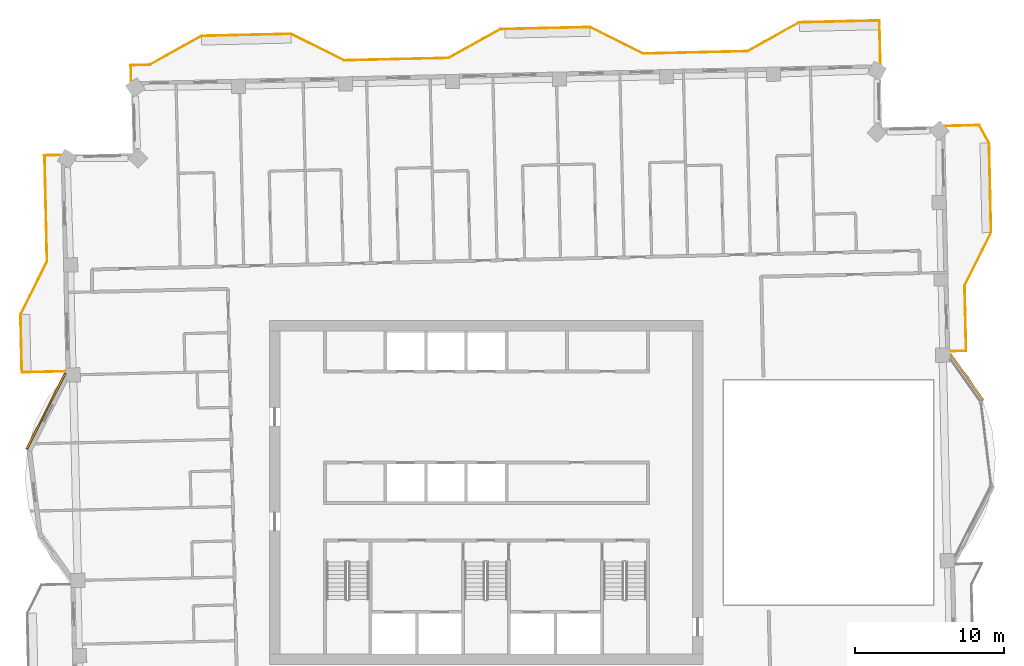
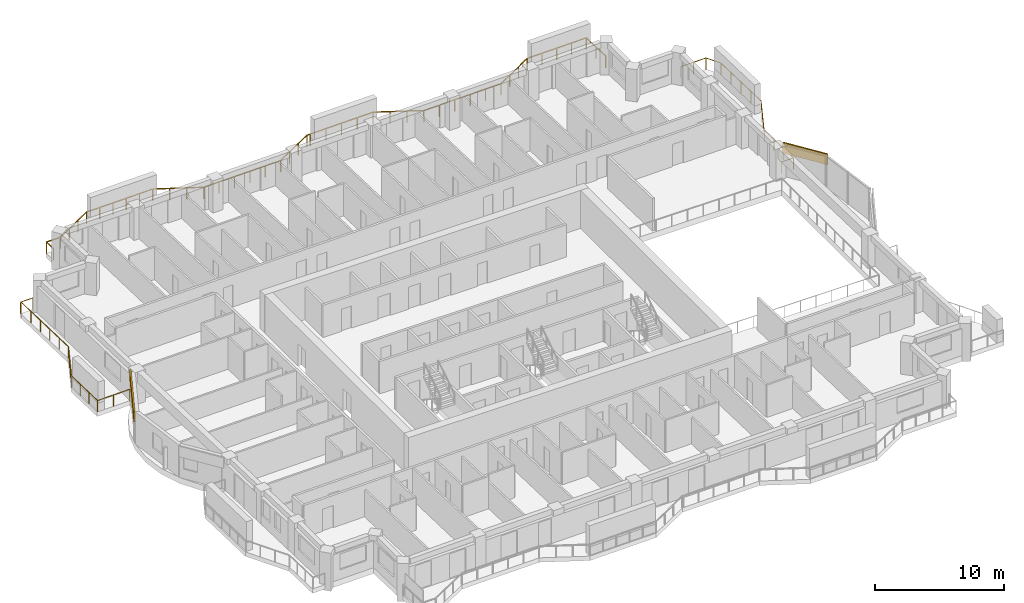
# One storey, part 20 of 20: 3 railings, 2 coverings.
"""IFC4 building model written with IfcOpenShell, lengths in metres."""

import ifcopenshell
import ifcopenshell.guid

model = None  # the IFC model being written
_history = None  # IfcOwnerHistory: only IFC2X3 demands one
_inside = {}  # id of a spatial element -> (the spatial element, [elements in it])
_under = {}  # id of a project, library or spatial element -> (it, [spatial elements below it])
_declared = {}  # id of a project -> (the project, [libraries it declares])
_typed = {}  # id of a type object -> (the type object, [elements of that type])
_made_of = {}  # id of a material, layer set ... -> (it, [elements and type objects made of it])


def new_model(schema):
    """Start an empty IFC model of exactly this schema.

    Asked for "IFC4X3", IfcOpenShell would pick the latest addendum, in which some entities
    have other attributes; the version numbers below select the first issue.
    IFC2X3 requires an IfcOwnerHistory on every rooted entity: one is made here for all.
    """
    global model, _history
    if schema == "IFC4X3":
        model = ifcopenshell.file(schema_version=(4, 3, 0, 0))
    else:
        model = ifcopenshell.file(schema=schema)
    _inside.clear()
    _under.clear()
    _declared.clear()
    _typed.clear()
    _made_of.clear()
    _history = None
    if model.schema == "IFC2X3":
        org = make("IfcOrganization", Name="unknown")
        user = make(
            "IfcPersonAndOrganization",
            ThePerson=make("IfcPerson", FamilyName="unknown"),
            TheOrganization=org,
        )
        app = make(
            "IfcApplication",
            ApplicationDeveloper=org,
            Version="unknown",
            ApplicationFullName="unknown",
            ApplicationIdentifier="unknown",
        )
        _history = make(
            "IfcOwnerHistory",
            OwningUser=user,
            OwningApplication=app,
            ChangeAction="ADDED",
            CreationDate=0,
        )
    return model


def make(cls, **values):
    """One entity of the class cls with the attributes given. An attribute that is None is left unset."""
    return model.create_entity(
        cls, **{name: value for name, value in values.items() if value is not None}
    )


def rooted(cls, **values):
    """An entity with a GlobalId (a new one), such as an element, a storey or a relation."""
    return make(cls, GlobalId=ifcopenshell.guid.new(), OwnerHistory=_history, **values)


def si_unit(unit_type, name, prefix=None):
    """IfcSIUnit, for example si_unit("LENGTHUNIT", "METRE", prefix="MILLI")."""
    return make("IfcSIUnit", UnitType=unit_type, Prefix=prefix, Name=name)


def assignment(units):
    """IfcUnitAssignment: the units of a project."""
    return None if units is None else make("IfcUnitAssignment", Units=units)


def point(xyz):
    """IfcCartesianPoint."""
    return None if xyz is None else make("IfcCartesianPoint", Coordinates=xyz)


def direction(xyz):
    """IfcDirection."""
    return None if xyz is None else make("IfcDirection", DirectionRatios=xyz)


def frame(location, z_axis=None, x_axis=None):
    """IfcAxis2Placement3D, a coordinate frame: its origin and axes. An axis left out is left unset."""
    return make(
        "IfcAxis2Placement3D",
        Location=point(location),
        Axis=direction(z_axis),
        RefDirection=direction(x_axis),
    )


def frame_2d(location, x_axis=None):
    """IfcAxis2Placement2D, a coordinate frame in the plane: its origin and x axis."""
    return make(
        "IfcAxis2Placement2D", Location=point(location), RefDirection=direction(x_axis)
    )


def origin():
    """The frame at (0, 0, 0) with its axes left unset."""
    return frame((0.0, 0.0, 0.0))


def origin_2d():
    """The frame at (0, 0) in the plane with its x axis left unset."""
    return frame_2d((0.0, 0.0))


def place(relative_to, where):
    """IfcLocalPlacement: puts the frame where relative to a parent placement (None: the world)."""
    return make(
        "IfcLocalPlacement", PlacementRelTo=relative_to, RelativePlacement=where
    )


def context(
    kind, dimensions, precision=None, world=None, true_north=None, identifier=None
):
    """IfcGeometricRepresentationContext, for example the 3D "Model" context."""
    return make(
        "IfcGeometricRepresentationContext",
        ContextIdentifier=identifier,
        ContextType=kind,
        CoordinateSpaceDimension=dimensions,
        Precision=precision,
        WorldCoordinateSystem=world,
        TrueNorth=true_north,
    )


def subcontext(parent, identifier, kind, view, scale=None):
    """IfcGeometricRepresentationSubContext, for example "Body" below "Model"."""
    return make(
        "IfcGeometricRepresentationSubContext",
        ContextIdentifier=identifier,
        ContextType=kind,
        ParentContext=parent,
        TargetScale=scale,
        TargetView=view,
    )


def project(units=None, contexts=None):
    """IfcProject with its units and contexts."""
    return rooted(
        "IfcProject",
        Name="project",
        RepresentationContexts=contexts,
        UnitsInContext=assignment(units),
    )


def spatial(cls, under=None, at=None, **own):
    """A site, building, storey or space (cls), placed at a placement, below another one or the project."""
    s = rooted(cls, ObjectPlacement=at, **own)
    if under is not None:
        _under.setdefault(under.id(), (under, []))[1].append(s)
    return s


def profile(cls, at=None, kind="AREA", **sizes):
    """A parametric profile (cls). Its sizes go by their IFC names, for example OverallWidth=200.0."""
    return make(cls, ProfileType=kind, Position=at, **sizes)


def rectangle(**sizes):
    """IfcRectangleProfileDef."""
    return profile("IfcRectangleProfileDef", **sizes)


def extrude(swept, where, along, depth):
    """IfcExtrudedAreaSolid: the profile swept, set in the frame where, extruded along a direction by depth."""
    return make(
        "IfcExtrudedAreaSolid",
        SweptArea=swept,
        Position=where,
        ExtrudedDirection=direction(along),
        Depth=depth,
    )


def shape(context_of_items, identifier, shape_type, items):
    """IfcShapeRepresentation: the items that make up one representation, for example the "Body"."""
    return make(
        "IfcShapeRepresentation",
        ContextOfItems=context_of_items,
        RepresentationIdentifier=identifier,
        RepresentationType=shape_type,
        Items=items,
    )


def material(Name=None, Category=None):
    """IfcMaterial."""
    return make("IfcMaterial", Name=Name, Category=Category)


def layer(
    of_material, thickness, ventilated=None, Name=None, Category=None, Priority=None
):
    """IfcMaterialLayer: one layer of a wall or slab, of a material (None: an air gap)."""
    return make(
        "IfcMaterialLayer",
        Material=of_material,
        LayerThickness=thickness,
        IsVentilated=ventilated,
        Name=Name,
        Category=Category,
        Priority=Priority,
    )


def layer_set(layers, Name=None):
    """IfcMaterialLayerSet."""
    return make("IfcMaterialLayerSet", MaterialLayers=layers, LayerSetName=Name)


def made_of(thing, what):
    """Note that an element or type object is made of a material, layer set ...; save() writes the relation."""
    if what is not None:
        _made_of.setdefault(what.id(), (what, []))[1].append(thing)
    return thing


def type_object(cls, material=None, **own):
    """A type object (cls), such as IfcWallType, which elements share."""
    return made_of(rooted(cls, **own), material)


def element(
    cls,
    number,
    at=None,
    inside=None,
    cuts=None,
    type_object=None,
    material=None,
    context=None,
    identifier="Body",
    shape_type=None,
    held_by="IfcProductDefinitionShape",
    body=None,
    shapes=None,
    **own,
):
    """One element of the class cls, such as IfcWall. Its Tag is "e" and its number.

    at: its placement. inside: the storey or other place that contains it. cuts: it is an
    opening in that element (IfcRelVoidsElement). A single representation is given by context,
    identifier, shape_type and body (its items); several are given by shapes. held_by: the class
    of the entity that holds the representations. save() writes the other relations.
    """
    e = rooted(cls, Tag="e%d" % number, ObjectPlacement=at, **own)
    if body is not None:
        shapes = [shape(context, identifier, shape_type, body)]
    if shapes is not None:
        e.Representation = make(held_by, Representations=shapes)
    if inside is not None:
        _inside.setdefault(inside.id(), (inside, []))[1].append(e)
    if cuts is not None:
        rooted(
            "IfcRelVoidsElement", RelatingBuildingElement=cuts, RelatedOpeningElement=e
        )
    if type_object is not None:
        _typed.setdefault(type_object.id(), (type_object, []))[1].append(e)
    return made_of(e, material)


def aggregate(whole, parts):
    """IfcRelAggregates: a whole, such as a stair, and the parts it consists of."""
    return rooted("IfcRelAggregates", RelatingObject=whole, RelatedObjects=parts)


def save(model, path):
    """Write the relations noted so far, then the file.

    IfcRelAggregates (storeys below a building ...), IfcRelContainedInSpatialStructure (elements
    in a storey), IfcRelDefinesByType, IfcRelAssociatesMaterial and IfcRelDeclares: one each for
    every whole, place, type object, material and project.
    """
    for whole, parts in _under.values():
        aggregate(whole, parts)
    for where, things in _inside.values():
        rooted(
            "IfcRelContainedInSpatialStructure",
            RelatedElements=things,
            RelatingStructure=where,
        )
    for kind, things in _typed.values():
        rooted("IfcRelDefinesByType", RelatedObjects=things, RelatingType=kind)
    for what, things in _made_of.values():
        rooted("IfcRelAssociatesMaterial", RelatedObjects=things, RelatingMaterial=what)
    for by, libraries in _declared.values():
        rooted("IfcRelDeclares", RelatingContext=by, RelatedDefinitions=libraries)
    model.write(path)


model = new_model("IFC4")

# Units and contexts
model_context = context("Model", 3, precision=1e-05, world=origin(), true_north=direction((0.0, 1.0)))
body_context = subcontext(model_context, "Body", "Model", "MODEL_VIEW")
ifc_project = project(units=[si_unit("LENGTHUNIT", "METRE"), si_unit("AREAUNIT", "SQUARE_METRE"), si_unit("VOLUMEUNIT", "CUBIC_METRE"), si_unit("PLANEANGLEUNIT", "RADIAN"), si_unit("MASSUNIT", "GRAM", prefix="KILO")], contexts=[model_context])

# Site, building, storey
site_placement = place(None, origin())
site = spatial("IfcSite", under=ifc_project, at=site_placement, CompositionType="ELEMENT")
building_placement = place(site_placement, origin())
building = spatial("IfcBuilding", under=site, at=building_placement, Name="Mangrove Gate Tower", CompositionType="ELEMENT")
storey_placement = place(building_placement, frame((0.0, 0.0, 294.300048828125)))
storey = spatial("IfcBuildingStorey", under=building, at=storey_placement, Name="L75", CompositionType="ELEMENT", Elevation=294.300048828125)

# Railings
ifc_material_1 = material(Name="Stainless steel grade 316 with laminated glass infill", Category="steel")
railing_type = type_object("IfcRailingType", Name="Balcony guard 1100", PredefinedType="GUARDRAIL", material=ifc_material_1)
railing_1_placement = place(storey_placement, frame((31.0390625, 9.445068359375, 0.0)))
element("IfcRailing", 1, at=railing_1_placement, inside=storey, type_object=railing_type, Name="GUARD L75 E2", PredefinedType="GUARDRAIL", context=body_context, shape_type="SweptSolid", body=[
    extrude(rectangle(XDim=0.048095703125, YDim=0.048095703125, at=origin_2d()), frame((0.0, 0.0, 1.076171875), z_axis=(0.999744802133, 0.022590498181, 0.0), x_axis=(-0.022590498181, 0.999744802133, 0.0)), (0.0, 0.0, 1.0), 1.05908203125),
    extrude(rectangle(XDim=0.048095703125, YDim=0.048095703125, at=origin_2d()), frame((1.058837890625, 0.02392578125, 1.076171875), z_axis=(-0.022599718713, 0.999744593741, 0.0), x_axis=(-0.999744593741, -0.022599718713, 0.0)), (0.0, 0.0, 1.0), 4.375244140625),
    extrude(rectangle(XDim=0.048095703125, YDim=0.048095703125, at=origin_2d()), frame((0.9599609375, 4.39794921875, 1.076171875), z_axis=(0.447114919141, 0.894476522376, 0.0), x_axis=(-0.894476522376, 0.447114919141, 0.0)), (0.0, 0.0, 1.0), 3.958740234375),
    extrude(rectangle(XDim=0.048095703125, YDim=0.048095703125, at=origin_2d()), frame((2.72998046875, 7.93896484375, 1.076171875), z_axis=(-0.022665943652, 0.999743094499, 0.0), x_axis=(-0.999743094499, -0.022665943652, 0.0)), (0.0, 0.0, 1.0), 5.99951171875),
    extrude(rectangle(XDim=0.048095703125, YDim=0.048095703125, at=origin_2d()), frame((2.593994140625, 13.93701171875, 1.076171875), z_axis=(-0.486894237627, 0.873460932936, 0.0), x_axis=(-0.873460932936, -0.486894237627, 0.0)), (0.0, 0.0, 1.0), 1.35791015625),
    extrude(rectangle(XDim=0.048095703125, YDim=0.048095703125, at=origin_2d()), frame((1.932861328125, 15.123046875, 1.076171875), z_axis=(-0.999738835803, -0.022853012666, 0.0), x_axis=(0.022853012666, -0.999738835803, 0.0)), (0.0, 0.0, 1.0), 2.275390625),
    extrude(rectangle(XDim=0.0419921875, YDim=0.0419921875, at=origin_2d()), origin(), (0.0, 0.0, 1.0), 1.052001953125),
    extrude(rectangle(XDim=0.0419921875, YDim=0.0419921875, at=origin_2d()), frame((1.058837890625, 0.02392578125, 0.0)), (0.0, 0.0, 1.0), 1.052001953125),
    extrude(rectangle(XDim=0.0419921875, YDim=0.0419921875, at=origin_2d()), frame((1.02587890625, 1.48193359375, 0.0)), (0.0, 0.0, 1.0), 1.052001953125),
    extrude(rectangle(XDim=0.0419921875, YDim=0.0419921875, at=origin_2d()), frame((0.992919921875, 2.93994140625, 0.0)), (0.0, 0.0, 1.0), 1.052001953125),
    extrude(rectangle(XDim=0.0419921875, YDim=0.0419921875, at=origin_2d()), frame((0.9599609375, 4.39794921875, 0.0)), (0.0, 0.0, 1.0), 1.052001953125),
    extrude(rectangle(XDim=0.0419921875, YDim=0.0419921875, at=origin_2d()), frame((1.550048828125, 5.578369140625, 0.0)), (0.0, 0.0, 1.0), 1.052001953125),
    extrude(rectangle(XDim=0.0419921875, YDim=0.0419921875, at=origin_2d()), frame((2.139892578125, 6.758544921875, 0.0)), (0.0, 0.0, 1.0), 1.052001953125),
    extrude(rectangle(XDim=0.0419921875, YDim=0.0419921875, at=origin_2d()), frame((2.72998046875, 7.93896484375, 0.0)), (0.0, 0.0, 1.0), 1.052001953125),
    extrude(rectangle(XDim=0.0419921875, YDim=0.0419921875, at=origin_2d()), frame((2.696044921875, 9.4384765625, 0.0)), (0.0, 0.0, 1.0), 1.052001953125),
    extrude(rectangle(XDim=0.0419921875, YDim=0.0419921875, at=origin_2d()), frame((2.662109375, 10.93798828125, 0.0)), (0.0, 0.0, 1.0), 1.052001953125),
    extrude(rectangle(XDim=0.0419921875, YDim=0.0419921875, at=origin_2d()), frame((2.6279296875, 12.4375, 0.0)), (0.0, 0.0, 1.0), 1.052001953125),
    extrude(rectangle(XDim=0.0419921875, YDim=0.0419921875, at=origin_2d()), frame((2.593994140625, 13.93701171875, 0.0)), (0.0, 0.0, 1.0), 1.052001953125),
    extrude(rectangle(XDim=0.0419921875, YDim=0.0419921875, at=origin_2d()), frame((1.932861328125, 15.123046875, 0.0)), (0.0, 0.0, 1.0), 1.052001953125),
    extrude(rectangle(XDim=0.0419921875, YDim=0.0419921875, at=origin_2d()), frame((0.79541015625, 15.09716796875, 0.0)), (0.0, 0.0, 1.0), 1.052001953125),
    extrude(rectangle(XDim=0.0419921875, YDim=0.0419921875, at=origin_2d()), frame((-0.342041015625, 15.071044921875, 0.0)), (0.0, 0.0, 1.0), 1.052001953125),
])
railing_2_placement = place(storey_placement, frame((26.362060546875, 28.658935546875, 0.0)))
element("IfcRailing", 2, at=railing_2_placement, inside=storey, type_object=railing_type, Name="GUARD L75 N1", PredefinedType="GUARDRAIL", context=body_context, shape_type="SweptSolid", body=[
    extrude(rectangle(XDim=0.048095703125, YDim=0.048095703125, at=origin_2d()), frame((0.0, 0.0, 1.076171875), z_axis=(-0.022736651854, 0.999741488917, 0.0), x_axis=(-0.999741488917, -0.022736651854, 0.0)), (0.0, 0.0, 1.0), 2.909912109375),
    extrude(rectangle(XDim=0.048095703125, YDim=0.048095703125, at=origin_2d()), frame((-0.066162109375, 2.9091796875, 1.076171875), z_axis=(-0.999741436255, -0.022738967299, 0.0), x_axis=(0.022738967299, -0.999741436255, 0.0)), (0.0, 0.0, 1.0), 5.368408203125),
    extrude(rectangle(XDim=0.048095703125, YDim=0.048095703125, at=origin_2d()), frame((-5.43310546875, 2.787109375, 1.076171875), z_axis=(-0.87325689943, -0.48726008209, 0.0), x_axis=(0.48726008209, -0.87325689943, 0.0)), (0.0, 0.0, 1.0), 3.958740234375),
    extrude(rectangle(XDim=0.048095703125, YDim=0.048095703125, at=origin_2d()), frame((-8.89013671875, 0.858154296875, 1.076171875), z_axis=(-0.999741385179, -0.022741212823, 0.0), x_axis=(0.022741212823, -0.999741385179, 0.0)), (0.0, 0.0, 1.0), 6.99951171875),
    extrude(rectangle(XDim=0.048095703125, YDim=0.048095703125, at=origin_2d()), frame((-15.887939453125, 0.698974609375, 1.076171875), z_axis=(-0.894377854182, 0.447312255532, 0.0), x_axis=(-0.447312255532, -0.894377854182, 0.0)), (0.0, 0.0, 1.0), 3.959228515625),
    extrude(rectangle(XDim=0.048095703125, YDim=0.048095703125, at=origin_2d()), frame((-19.428955078125, 2.469970703125, 1.076171875), z_axis=(-0.999740418587, -0.022783666154, 0.0), x_axis=(0.022783666154, -0.999740418587, 0.0)), (0.0, 0.0, 1.0), 5.70068359375),
    extrude(rectangle(XDim=0.048095703125, YDim=0.048095703125, at=origin_2d()), frame((-25.128173828125, 2.340087890625, 1.076171875), z_axis=(-0.999721267469, -0.023609052733, 0.0), x_axis=(0.023609052733, -0.999721267469, 0.0)), (0.0, 0.0, 1.0), 0.2998046875),
    extrude(rectangle(XDim=0.048095703125, YDim=0.048095703125, at=origin_2d()), frame((-25.427978515625, 2.3330078125, 1.076171875), z_axis=(-0.873361856081, -0.487071933437, 0.0), x_axis=(0.487071933437, -0.873361856081, 0.0)), (0.0, 0.0, 1.0), 3.958251953125),
    extrude(rectangle(XDim=0.048095703125, YDim=0.048095703125, at=origin_2d()), frame((-28.885009765625, 0.405029296875, 1.076171875), z_axis=(-0.999742195543, -0.022705559911, 0.0), x_axis=(0.022705559911, -0.999742195543, 0.0)), (0.0, 0.0, 1.0), 6.999755859375),
    extrude(rectangle(XDim=0.048095703125, YDim=0.048095703125, at=origin_2d()), frame((-35.883056640625, 0.24609375, 1.076171875), z_axis=(-0.894476522376, 0.447114919141, 0.0), x_axis=(-0.447114919141, -0.894476522376, 0.0)), (0.0, 0.0, 1.0), 3.958740234375),
    extrude(rectangle(XDim=0.048095703125, YDim=0.048095703125, at=origin_2d()), frame((-39.424072265625, 2.01611328125, 1.076171875), z_axis=(-0.999743178102, -0.022662255828, 0.0), x_axis=(0.022662255828, -0.999743178102, 0.0)), (0.0, 0.0, 1.0), 6.00048828125),
    extrude(rectangle(XDim=0.048095703125, YDim=0.048095703125, at=origin_2d()), frame((-45.423095703125, 1.880126953125, 1.076171875), z_axis=(-0.87325689943, -0.48726008209, 0.0), x_axis=(0.48726008209, -0.87325689943, 0.0)), (0.0, 0.0, 1.0), 3.958740234375),
    extrude(rectangle(XDim=0.048095703125, YDim=0.048095703125, at=origin_2d()), frame((-48.880126953125, -0.048828125, 1.076171875), z_axis=(-0.999737139505, -0.022927099557, 0.0), x_axis=(0.022927099557, -0.999737139505, 0.0)), (0.0, 0.0, 1.0), 1.26708984375),
    extrude(rectangle(XDim=0.048095703125, YDim=0.048095703125, at=origin_2d()), frame((-50.14697265625, -0.077880859375, 1.076171875), z_axis=(0.021643938231, -0.999765742531, 0.0), x_axis=(0.999765742531, 0.021643938231, 0.0)), (0.0, 0.0, 1.0), 1.060302734375),
    extrude(rectangle(XDim=0.0419921875, YDim=0.0419921875, at=origin_2d()), origin(), (0.0, 0.0, 1.0), 1.052001953125),
    extrude(rectangle(XDim=0.0419921875, YDim=0.0419921875, at=origin_2d()), frame((-0.033203125, 1.45458984375, 0.0)), (0.0, 0.0, 1.0), 1.052001953125),
    extrude(rectangle(XDim=0.0419921875, YDim=0.0419921875, at=origin_2d()), frame((-0.066162109375, 2.9091796875, 0.0)), (0.0, 0.0, 1.0), 1.052001953125),
    extrude(rectangle(XDim=0.0419921875, YDim=0.0419921875, at=origin_2d()), frame((-1.407958984375, 2.878662109375, 0.0)), (0.0, 0.0, 1.0), 1.052001953125),
    extrude(rectangle(XDim=0.0419921875, YDim=0.0419921875, at=origin_2d()), frame((-2.74951171875, 2.84814453125, 0.0)), (0.0, 0.0, 1.0), 1.052001953125),
    extrude(rectangle(XDim=0.0419921875, YDim=0.0419921875, at=origin_2d()), frame((-4.09130859375, 2.817626953125, 0.0)), (0.0, 0.0, 1.0), 1.052001953125),
    extrude(rectangle(XDim=0.0419921875, YDim=0.0419921875, at=origin_2d()), frame((-5.43310546875, 2.787109375, 0.0)), (0.0, 0.0, 1.0), 1.052001953125),
    extrude(rectangle(XDim=0.0419921875, YDim=0.0419921875, at=origin_2d()), frame((-6.58544921875, 2.14404296875, 0.0)), (0.0, 0.0, 1.0), 1.052001953125),
    extrude(rectangle(XDim=0.0419921875, YDim=0.0419921875, at=origin_2d()), frame((-7.73779296875, 1.501220703125, 0.0)), (0.0, 0.0, 1.0), 1.052001953125),
    extrude(rectangle(XDim=0.0419921875, YDim=0.0419921875, at=origin_2d()), frame((-8.89013671875, 0.858154296875, 0.0)), (0.0, 0.0, 1.0), 1.052001953125),
    extrude(rectangle(XDim=0.0419921875, YDim=0.0419921875, at=origin_2d()), frame((-10.289794921875, 0.826416015625, 0.0)), (0.0, 0.0, 1.0), 1.052001953125),
    extrude(rectangle(XDim=0.0419921875, YDim=0.0419921875, at=origin_2d()), frame((-11.689208984375, 0.79443359375, 0.0)), (0.0, 0.0, 1.0), 1.052001953125),
    extrude(rectangle(XDim=0.0419921875, YDim=0.0419921875, at=origin_2d()), frame((-13.0888671875, 0.7626953125, 0.0)), (0.0, 0.0, 1.0), 1.052001953125),
    extrude(rectangle(XDim=0.0419921875, YDim=0.0419921875, at=origin_2d()), frame((-14.48828125, 0.730712890625, 0.0)), (0.0, 0.0, 1.0), 1.052001953125),
    extrude(rectangle(XDim=0.0419921875, YDim=0.0419921875, at=origin_2d()), frame((-15.887939453125, 0.698974609375, 0.0)), (0.0, 0.0, 1.0), 1.052001953125),
    extrude(rectangle(XDim=0.0419921875, YDim=0.0419921875, at=origin_2d()), frame((-17.068359375, 1.289306640625, 0.0)), (0.0, 0.0, 1.0), 1.052001953125),
    extrude(rectangle(XDim=0.0419921875, YDim=0.0419921875, at=origin_2d()), frame((-18.24853515625, 1.879638671875, 0.0)), (0.0, 0.0, 1.0), 1.052001953125),
    extrude(rectangle(XDim=0.0419921875, YDim=0.0419921875, at=origin_2d()), frame((-19.428955078125, 2.469970703125, 0.0)), (0.0, 0.0, 1.0), 1.052001953125),
    extrude(rectangle(XDim=0.0419921875, YDim=0.0419921875, at=origin_2d()), frame((-20.853759765625, 2.4375, 0.0)), (0.0, 0.0, 1.0), 1.052001953125),
    extrude(rectangle(XDim=0.0419921875, YDim=0.0419921875, at=origin_2d()), frame((-22.278564453125, 2.405029296875, 0.0)), (0.0, 0.0, 1.0), 1.052001953125),
    extrude(rectangle(XDim=0.0419921875, YDim=0.0419921875, at=origin_2d()), frame((-23.703369140625, 2.37255859375, 0.0)), (0.0, 0.0, 1.0), 1.052001953125),
    extrude(rectangle(XDim=0.0419921875, YDim=0.0419921875, at=origin_2d()), frame((-25.128173828125, 2.340087890625, 0.0)), (0.0, 0.0, 1.0), 1.052001953125),
    extrude(rectangle(XDim=0.0419921875, YDim=0.0419921875, at=origin_2d()), frame((-25.427978515625, 2.3330078125, 0.0)), (0.0, 0.0, 1.0), 1.052001953125),
    extrude(rectangle(XDim=0.0419921875, YDim=0.0419921875, at=origin_2d()), frame((-26.580322265625, 1.6904296875, 0.0)), (0.0, 0.0, 1.0), 1.052001953125),
    extrude(rectangle(XDim=0.0419921875, YDim=0.0419921875, at=origin_2d()), frame((-27.732666015625, 1.047607421875, 0.0)), (0.0, 0.0, 1.0), 1.052001953125),
    extrude(rectangle(XDim=0.0419921875, YDim=0.0419921875, at=origin_2d()), frame((-28.885009765625, 0.405029296875, 0.0)), (0.0, 0.0, 1.0), 1.052001953125),
    extrude(rectangle(XDim=0.0419921875, YDim=0.0419921875, at=origin_2d()), frame((-30.28466796875, 0.373291015625, 0.0)), (0.0, 0.0, 1.0), 1.052001953125),
    extrude(rectangle(XDim=0.0419921875, YDim=0.0419921875, at=origin_2d()), frame((-31.684326171875, 0.341552734375, 0.0)), (0.0, 0.0, 1.0), 1.052001953125),
    extrude(rectangle(XDim=0.0419921875, YDim=0.0419921875, at=origin_2d()), frame((-33.083740234375, 0.3095703125, 0.0)), (0.0, 0.0, 1.0), 1.052001953125),
    extrude(rectangle(XDim=0.0419921875, YDim=0.0419921875, at=origin_2d()), frame((-34.4833984375, 0.27783203125, 0.0)), (0.0, 0.0, 1.0), 1.052001953125),
    extrude(rectangle(XDim=0.0419921875, YDim=0.0419921875, at=origin_2d()), frame((-35.883056640625, 0.24609375, 0.0)), (0.0, 0.0, 1.0), 1.052001953125),
    extrude(rectangle(XDim=0.0419921875, YDim=0.0419921875, at=origin_2d()), frame((-37.0634765625, 0.836181640625, 0.0)), (0.0, 0.0, 1.0), 1.052001953125),
    extrude(rectangle(XDim=0.0419921875, YDim=0.0419921875, at=origin_2d()), frame((-38.24365234375, 1.426025390625, 0.0)), (0.0, 0.0, 1.0), 1.052001953125),
    extrude(rectangle(XDim=0.0419921875, YDim=0.0419921875, at=origin_2d()), frame((-39.424072265625, 2.01611328125, 0.0)), (0.0, 0.0, 1.0), 1.052001953125),
    extrude(rectangle(XDim=0.0419921875, YDim=0.0419921875, at=origin_2d()), frame((-40.623779296875, 1.989013671875, 0.0)), (0.0, 0.0, 1.0), 1.052001953125),
    extrude(rectangle(XDim=0.0419921875, YDim=0.0419921875, at=origin_2d()), frame((-41.82373046875, 1.961669921875, 0.0)), (0.0, 0.0, 1.0), 1.052001953125),
    extrude(rectangle(XDim=0.0419921875, YDim=0.0419921875, at=origin_2d()), frame((-43.0234375, 1.9345703125, 0.0)), (0.0, 0.0, 1.0), 1.052001953125),
    extrude(rectangle(XDim=0.0419921875, YDim=0.0419921875, at=origin_2d()), frame((-44.223388671875, 1.9072265625, 0.0)), (0.0, 0.0, 1.0), 1.052001953125),
    extrude(rectangle(XDim=0.0419921875, YDim=0.0419921875, at=origin_2d()), frame((-45.423095703125, 1.880126953125, 0.0)), (0.0, 0.0, 1.0), 1.052001953125),
    extrude(rectangle(XDim=0.0419921875, YDim=0.0419921875, at=origin_2d()), frame((-46.575439453125, 1.237060546875, 0.0)), (0.0, 0.0, 1.0), 1.052001953125),
    extrude(rectangle(XDim=0.0419921875, YDim=0.0419921875, at=origin_2d()), frame((-47.727783203125, 0.59423828125, 0.0)), (0.0, 0.0, 1.0), 1.052001953125),
    extrude(rectangle(XDim=0.0419921875, YDim=0.0419921875, at=origin_2d()), frame((-48.880126953125, -0.048828125, 0.0)), (0.0, 0.0, 1.0), 1.052001953125),
    extrude(rectangle(XDim=0.0419921875, YDim=0.0419921875, at=origin_2d()), frame((-50.14697265625, -0.077880859375, 0.0)), (0.0, 0.0, 1.0), 1.052001953125),
    extrude(rectangle(XDim=0.0419921875, YDim=0.0419921875, at=origin_2d()), frame((-50.1240234375, -1.137939453125, 0.0)), (0.0, 0.0, 1.0), 1.052001953125),
])
railing_3_placement = place(storey_placement, frame((-28.489990234375, 22.572998046875, 0.0)))
element("IfcRailing", 3, at=railing_3_placement, inside=storey, type_object=railing_type, Name="GUARD L75 W1", PredefinedType="GUARDRAIL", context=body_context, shape_type="SweptSolid", body=[
    extrude(rectangle(XDim=0.048095703125, YDim=0.048095703125, at=origin_2d()), frame((0.0, 0.0, 1.076171875), z_axis=(-0.999749811032, -0.022367729924, 0.0), x_axis=(0.022367729924, -0.999749811032, 0.0)), (0.0, 0.0, 1.0), 1.11328125),
    extrude(rectangle(XDim=0.048095703125, YDim=0.048095703125, at=origin_2d()), frame((-1.113037109375, -0.02490234375, 1.076171875), z_axis=(0.484728084089, -0.874664898401, 0.0), x_axis=(0.874664898401, 0.484728084089, 0.0)), (0.0, 0.0, 1.0), 0.11328125),
    extrude(rectangle(XDim=0.048095703125, YDim=0.048095703125, at=origin_2d()), frame((-1.05810546875, -0.1240234375, 1.076171875), z_axis=(0.022740419861, -0.999741403216, 0.0), x_axis=(0.999741403216, 0.022740419861, 0.0)), (0.0, 0.0, 1.0), 6.999755859375),
    extrude(rectangle(XDim=0.048095703125, YDim=0.048095703125, at=origin_2d()), frame((-0.89892578125, -7.1220703125, 1.076171875), z_axis=(-0.447114919141, -0.894476522376, 0.0), x_axis=(0.894476522376, -0.447114919141, 0.0)), (0.0, 0.0, 1.0), 3.958740234375),
    extrude(rectangle(XDim=0.048095703125, YDim=0.048095703125, at=origin_2d()), frame((-2.6689453125, -10.6630859375, 1.076171875), z_axis=(0.022681332769, -0.999742745482, 0.0), x_axis=(0.999742745482, 0.022681332769, 0.0)), (0.0, 0.0, 1.0), 3.875),
    extrude(rectangle(XDim=0.048095703125, YDim=0.048095703125, at=origin_2d()), frame((-2.5810546875, -14.537109375, 1.076171875), z_axis=(0.99974144554, 0.022738559105, 0.0), x_axis=(-0.022738559105, 0.99974144554, 0.0)), (0.0, 0.0, 1.0), 2.90966796875),
    extrude(rectangle(XDim=0.0419921875, YDim=0.0419921875, at=origin_2d()), origin(), (0.0, 0.0, 1.0), 1.052001953125),
    extrude(rectangle(XDim=0.0419921875, YDim=0.0419921875, at=origin_2d()), frame((-1.113037109375, -0.02490234375, 0.0)), (0.0, 0.0, 1.0), 1.052001953125),
    extrude(rectangle(XDim=0.0419921875, YDim=0.0419921875, at=origin_2d()), frame((-1.05810546875, -0.1240234375, 0.0)), (0.0, 0.0, 1.0), 1.052001953125),
    extrude(rectangle(XDim=0.0419921875, YDim=0.0419921875, at=origin_2d()), frame((-1.0263671875, -1.523681640625, 0.0)), (0.0, 0.0, 1.0), 1.052001953125),
    extrude(rectangle(XDim=0.0419921875, YDim=0.0419921875, at=origin_2d()), frame((-0.994384765625, -2.92333984375, 0.0)), (0.0, 0.0, 1.0), 1.052001953125),
    extrude(rectangle(XDim=0.0419921875, YDim=0.0419921875, at=origin_2d()), frame((-0.962646484375, -4.32275390625, 0.0)), (0.0, 0.0, 1.0), 1.052001953125),
    extrude(rectangle(XDim=0.0419921875, YDim=0.0419921875, at=origin_2d()), frame((-0.9306640625, -5.722412109375, 0.0)), (0.0, 0.0, 1.0), 1.052001953125),
    extrude(rectangle(XDim=0.0419921875, YDim=0.0419921875, at=origin_2d()), frame((-0.89892578125, -7.1220703125, 0.0)), (0.0, 0.0, 1.0), 1.052001953125),
    extrude(rectangle(XDim=0.0419921875, YDim=0.0419921875, at=origin_2d()), frame((-1.489013671875, -8.302490234375, 0.0)), (0.0, 0.0, 1.0), 1.052001953125),
    extrude(rectangle(XDim=0.0419921875, YDim=0.0419921875, at=origin_2d()), frame((-2.078857421875, -9.482666015625, 0.0)), (0.0, 0.0, 1.0), 1.052001953125),
    extrude(rectangle(XDim=0.0419921875, YDim=0.0419921875, at=origin_2d()), frame((-2.6689453125, -10.6630859375, 0.0)), (0.0, 0.0, 1.0), 1.052001953125),
    extrude(rectangle(XDim=0.0419921875, YDim=0.0419921875, at=origin_2d()), frame((-2.6396484375, -11.954345703125, 0.0)), (0.0, 0.0, 1.0), 1.052001953125),
    extrude(rectangle(XDim=0.0419921875, YDim=0.0419921875, at=origin_2d()), frame((-2.6103515625, -13.245849609375, 0.0)), (0.0, 0.0, 1.0), 1.052001953125),
    extrude(rectangle(XDim=0.0419921875, YDim=0.0419921875, at=origin_2d()), frame((-2.5810546875, -14.537109375, 0.0)), (0.0, 0.0, 1.0), 1.052001953125),
    extrude(rectangle(XDim=0.0419921875, YDim=0.0419921875, at=origin_2d()), frame((-1.12646484375, -14.50390625, 0.0)), (0.0, 0.0, 1.0), 1.052001953125),
    extrude(rectangle(XDim=0.0419921875, YDim=0.0419921875, at=origin_2d()), frame((0.327880859375, -14.470947265625, 0.0)), (0.0, 0.0, 1.0), 1.052001953125),
])

# Coverings
ifc_material_2 = material(Name="Limestone", Category="masonry")
ifc_layer_1 = layer(ifc_material_2, 0.0400390625, Name="Limestone cladding")
ifc_material_3 = material(Name="Stainless steel anchors and cavity", Category="steel")
ifc_layer_2 = layer(ifc_material_3, 0.080078125, Name="Fixing cavity")
ifc_layer_set = layer_set([ifc_layer_1, ifc_layer_2], Name="Joint fascia cladding 120")
covering_type = type_object("IfcCoveringType", Name="Joint fascia cladding 120", PredefinedType="CLADDING", material=ifc_layer_set)
covering_1_placement = place(storey_placement, frame((33.25390625, 6.158935546875, 2.050048828125), z_axis=(0.0, 0.0, 1.0), x_axis=(-0.578168098379, 0.815917673553, 0.0)))
element("IfcCovering", 4, at=covering_1_placement, inside=storey, type_object=covering_type, Name="STONE FASCIA L75 E1.L2", PredefinedType="CLADDING", context=body_context, shape_type="SweptSolid", body=[
    extrude(rectangle(XDim=3.819091796875, YDim=0.1201171875, at=frame_2d((1.90966796875, 0.0))), origin(), (0.0, 0.0, 1.0), 1.0),
])
covering_2_placement = place(storey_placement, frame((-28.169677734375, 7.974609375, 2.050048828125), z_axis=(0.0, 0.0, 1.0), x_axis=(-0.452599154857, -0.891714082553, 0.0)))
element("IfcCovering", 5, at=covering_2_placement, inside=storey, type_object=covering_type, Name="STONE FASCIA L75 W9.L1", PredefinedType="CLADDING", context=body_context, shape_type="SweptSolid", body=[
    extrude(rectangle(XDim=5.703369140625, YDim=0.1201171875, at=frame_2d((2.8515625, 0.0))), origin(), (0.0, 0.0, 1.0), 1.0),
])

save(model, "model.ifc")
